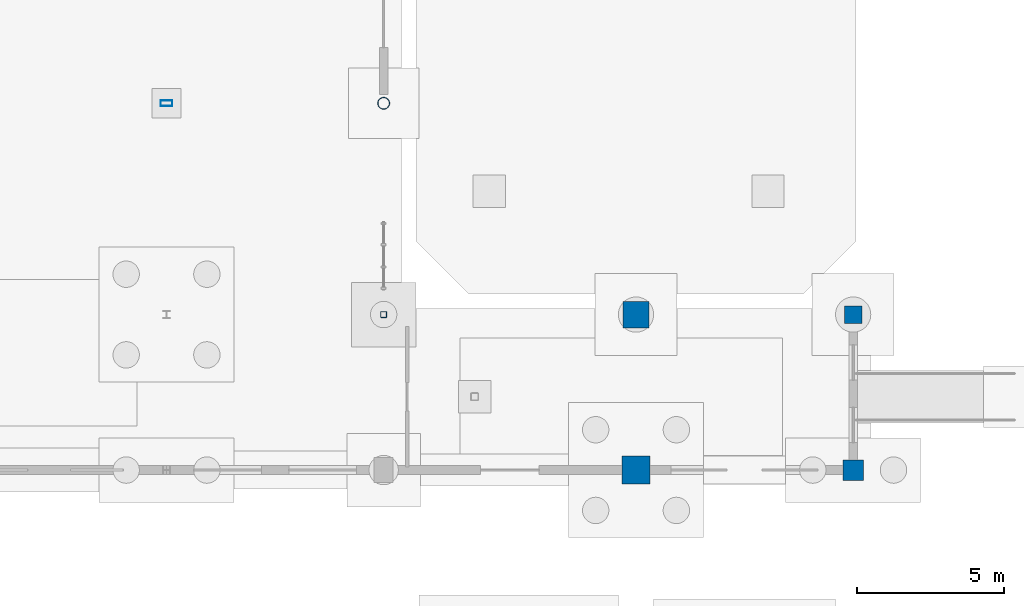
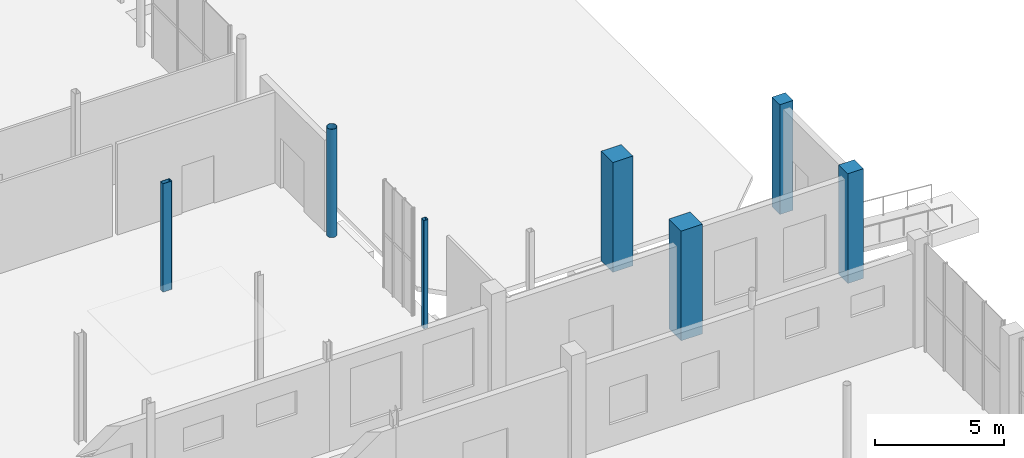
# One storey, part 30 of 87: 7 columns.
"""IFC4 building model written with IfcOpenShell, lengths in metres."""

import ifcopenshell
import ifcopenshell.guid

model = None  # the IFC model being written
_history = None  # IfcOwnerHistory: only IFC2X3 demands one
_inside = {}  # id of a spatial element -> (the spatial element, [elements in it])
_under = {}  # id of a project, library or spatial element -> (it, [spatial elements below it])
_declared = {}  # id of a project -> (the project, [libraries it declares])
_typed = {}  # id of a type object -> (the type object, [elements of that type])
_made_of = {}  # id of a material, layer set ... -> (it, [elements and type objects made of it])


def new_model(schema):
    """Start an empty IFC model of exactly this schema.

    Asked for "IFC4X3", IfcOpenShell would pick the latest addendum, in which some entities
    have other attributes; the version numbers below select the first issue.
    IFC2X3 requires an IfcOwnerHistory on every rooted entity: one is made here for all.
    """
    global model, _history
    if schema == "IFC4X3":
        model = ifcopenshell.file(schema_version=(4, 3, 0, 0))
    else:
        model = ifcopenshell.file(schema=schema)
    _inside.clear()
    _under.clear()
    _declared.clear()
    _typed.clear()
    _made_of.clear()
    _history = None
    if model.schema == "IFC2X3":
        org = make("IfcOrganization", Name="unknown")
        user = make(
            "IfcPersonAndOrganization",
            ThePerson=make("IfcPerson", FamilyName="unknown"),
            TheOrganization=org,
        )
        app = make(
            "IfcApplication",
            ApplicationDeveloper=org,
            Version="unknown",
            ApplicationFullName="unknown",
            ApplicationIdentifier="unknown",
        )
        _history = make(
            "IfcOwnerHistory",
            OwningUser=user,
            OwningApplication=app,
            ChangeAction="ADDED",
            CreationDate=0,
        )
    return model


def make(cls, **values):
    """One entity of the class cls with the attributes given. An attribute that is None is left unset."""
    return model.create_entity(
        cls, **{name: value for name, value in values.items() if value is not None}
    )


def rooted(cls, **values):
    """An entity with a GlobalId (a new one), such as an element, a storey or a relation."""
    return make(cls, GlobalId=ifcopenshell.guid.new(), OwnerHistory=_history, **values)


def si_unit(unit_type, name, prefix=None):
    """IfcSIUnit, for example si_unit("LENGTHUNIT", "METRE", prefix="MILLI")."""
    return make("IfcSIUnit", UnitType=unit_type, Prefix=prefix, Name=name)


def assignment(units):
    """IfcUnitAssignment: the units of a project."""
    return None if units is None else make("IfcUnitAssignment", Units=units)


def point(xyz):
    """IfcCartesianPoint."""
    return None if xyz is None else make("IfcCartesianPoint", Coordinates=xyz)


def direction(xyz):
    """IfcDirection."""
    return None if xyz is None else make("IfcDirection", DirectionRatios=xyz)


def frame(location, z_axis=None, x_axis=None):
    """IfcAxis2Placement3D, a coordinate frame: its origin and axes. An axis left out is left unset."""
    return make(
        "IfcAxis2Placement3D",
        Location=point(location),
        Axis=direction(z_axis),
        RefDirection=direction(x_axis),
    )


def frame_2d(location, x_axis=None):
    """IfcAxis2Placement2D, a coordinate frame in the plane: its origin and x axis."""
    return make(
        "IfcAxis2Placement2D", Location=point(location), RefDirection=direction(x_axis)
    )


def origin():
    """The frame at (0, 0, 0) with its axes left unset."""
    return frame((0.0, 0.0, 0.0))


def origin_2d():
    """The frame at (0, 0) in the plane with its x axis left unset."""
    return frame_2d((0.0, 0.0))


def place(relative_to, where):
    """IfcLocalPlacement: puts the frame where relative to a parent placement (None: the world)."""
    return make(
        "IfcLocalPlacement", PlacementRelTo=relative_to, RelativePlacement=where
    )


def context(
    kind, dimensions, precision=None, world=None, true_north=None, identifier=None
):
    """IfcGeometricRepresentationContext, for example the 3D "Model" context."""
    return make(
        "IfcGeometricRepresentationContext",
        ContextIdentifier=identifier,
        ContextType=kind,
        CoordinateSpaceDimension=dimensions,
        Precision=precision,
        WorldCoordinateSystem=world,
        TrueNorth=true_north,
    )


def subcontext(parent, identifier, kind, view, scale=None):
    """IfcGeometricRepresentationSubContext, for example "Body" below "Model"."""
    return make(
        "IfcGeometricRepresentationSubContext",
        ContextIdentifier=identifier,
        ContextType=kind,
        ParentContext=parent,
        TargetScale=scale,
        TargetView=view,
    )


def project(units=None, contexts=None):
    """IfcProject with its units and contexts."""
    return rooted(
        "IfcProject",
        Name="project",
        RepresentationContexts=contexts,
        UnitsInContext=assignment(units),
    )


def spatial(cls, under=None, at=None, **own):
    """A site, building, storey or space (cls), placed at a placement, below another one or the project."""
    s = rooted(cls, ObjectPlacement=at, **own)
    if under is not None:
        _under.setdefault(under.id(), (under, []))[1].append(s)
    return s


def profile(cls, at=None, kind="AREA", **sizes):
    """A parametric profile (cls). Its sizes go by their IFC names, for example OverallWidth=200.0."""
    return make(cls, ProfileType=kind, Position=at, **sizes)


def rectangle(**sizes):
    """IfcRectangleProfileDef."""
    return profile("IfcRectangleProfileDef", **sizes)


def hollow_rectangle(**sizes):
    """IfcRectangleHollowProfileDef."""
    return profile("IfcRectangleHollowProfileDef", **sizes)


def hollow_circle(**sizes):
    """IfcCircleHollowProfileDef."""
    return profile("IfcCircleHollowProfileDef", **sizes)


def extrude(swept, where, along, depth):
    """IfcExtrudedAreaSolid: the profile swept, set in the frame where, extruded along a direction by depth."""
    return make(
        "IfcExtrudedAreaSolid",
        SweptArea=swept,
        Position=where,
        ExtrudedDirection=direction(along),
        Depth=depth,
    )


def shape(context_of_items, identifier, shape_type, items):
    """IfcShapeRepresentation: the items that make up one representation, for example the "Body"."""
    return make(
        "IfcShapeRepresentation",
        ContextOfItems=context_of_items,
        RepresentationIdentifier=identifier,
        RepresentationType=shape_type,
        Items=items,
    )


def material(Name=None, Category=None):
    """IfcMaterial."""
    return make("IfcMaterial", Name=Name, Category=Category)


def material_profile(
    of_material, cross_section, Name=None, Category=None, Priority=None
):
    """IfcMaterialProfile: a cross section and its material."""
    return make(
        "IfcMaterialProfile",
        Name=Name,
        Material=of_material,
        Profile=cross_section,
        Priority=Priority,
        Category=Category,
    )


def profile_set(profiles, Name=None, composite=None):
    """IfcMaterialProfileSet."""
    return make(
        "IfcMaterialProfileSet",
        Name=Name,
        MaterialProfiles=profiles,
        CompositeProfile=composite,
    )


def made_of(thing, what):
    """Note that an element or type object is made of a material, layer set ...; save() writes the relation."""
    if what is not None:
        _made_of.setdefault(what.id(), (what, []))[1].append(thing)
    return thing


def type_object(cls, material=None, **own):
    """A type object (cls), such as IfcWallType, which elements share."""
    return made_of(rooted(cls, **own), material)


def element(
    cls,
    number,
    at=None,
    inside=None,
    cuts=None,
    type_object=None,
    material=None,
    context=None,
    identifier="Body",
    shape_type=None,
    held_by="IfcProductDefinitionShape",
    body=None,
    shapes=None,
    **own,
):
    """One element of the class cls, such as IfcWall. Its Tag is "e" and its number.

    at: its placement. inside: the storey or other place that contains it. cuts: it is an
    opening in that element (IfcRelVoidsElement). A single representation is given by context,
    identifier, shape_type and body (its items); several are given by shapes. held_by: the class
    of the entity that holds the representations. save() writes the other relations.
    """
    e = rooted(cls, Tag="e%d" % number, ObjectPlacement=at, **own)
    if body is not None:
        shapes = [shape(context, identifier, shape_type, body)]
    if shapes is not None:
        e.Representation = make(held_by, Representations=shapes)
    if inside is not None:
        _inside.setdefault(inside.id(), (inside, []))[1].append(e)
    if cuts is not None:
        rooted(
            "IfcRelVoidsElement", RelatingBuildingElement=cuts, RelatedOpeningElement=e
        )
    if type_object is not None:
        _typed.setdefault(type_object.id(), (type_object, []))[1].append(e)
    return made_of(e, material)


def aggregate(whole, parts):
    """IfcRelAggregates: a whole, such as a stair, and the parts it consists of."""
    return rooted("IfcRelAggregates", RelatingObject=whole, RelatedObjects=parts)


def save(model, path):
    """Write the relations noted so far, then the file.

    IfcRelAggregates (storeys below a building ...), IfcRelContainedInSpatialStructure (elements
    in a storey), IfcRelDefinesByType, IfcRelAssociatesMaterial and IfcRelDeclares: one each for
    every whole, place, type object, material and project.
    """
    for whole, parts in _under.values():
        aggregate(whole, parts)
    for where, things in _inside.values():
        rooted(
            "IfcRelContainedInSpatialStructure",
            RelatedElements=things,
            RelatingStructure=where,
        )
    for kind, things in _typed.values():
        rooted("IfcRelDefinesByType", RelatedObjects=things, RelatingType=kind)
    for what, things in _made_of.values():
        rooted("IfcRelAssociatesMaterial", RelatedObjects=things, RelatingMaterial=what)
    for by, libraries in _declared.values():
        rooted("IfcRelDeclares", RelatingContext=by, RelatedDefinitions=libraries)
    model.write(path)


model = new_model("IFC4")

# Units and contexts
model_context = context("Model", 3, precision=1e-05, world=origin(), true_north=direction((0.0, 1.0)))
body_context = subcontext(model_context, "Body", "Model", "MODEL_VIEW")
ifc_project = project(units=[si_unit("LENGTHUNIT", "METRE"), si_unit("AREAUNIT", "SQUARE_METRE"), si_unit("VOLUMEUNIT", "CUBIC_METRE"), si_unit("PLANEANGLEUNIT", "RADIAN"), si_unit("MASSUNIT", "GRAM", prefix="KILO")], contexts=[model_context])

# Site, building, storey
site_placement = place(None, origin())
site = spatial("IfcSite", under=ifc_project, at=site_placement, CompositionType="ELEMENT")
building_placement = place(site_placement, origin())
building = spatial("IfcBuilding", under=site, at=building_placement, Name="Brisemont Oceanarium", CompositionType="ELEMENT")
storey_placement = place(building_placement, origin())
storey = spatial("IfcBuildingStorey", under=building, at=storey_placement, Name="L00", CompositionType="ELEMENT", Elevation=0.0)

# Columns
ifc_material_1 = material(Name="Structural Steel ASTM A500 Gr.C", Category="steel")
ifc_material_profile_1 = material_profile(ifc_material_1, hollow_circle(Radius=0.202880859375, WallThickness=0.01171875, at=origin_2d()), Name="HSS16.000X0.500")
ifc_profile_set_1 = profile_set([ifc_material_profile_1], Name="Structural Steel ASTM A500 Gr.C")
column_type_1 = type_object("IfcColumnType", Name="COL-CHS16", PredefinedType="COLUMN", material=ifc_profile_set_1)
column_1_placement = place(storey_placement, frame((143.39990234375, 49.0, 0.0), z_axis=(0.0, 0.0, 1.0), x_axis=(1.0, 0.0, 0.0)))
element("IfcColumn", 1, at=column_1_placement, inside=storey, type_object=column_type_1, Name="V5E L00 column (4,2)", PredefinedType="COLUMN", context=body_context, shape_type="SweptSolid", body=[
    extrude(hollow_circle(Radius=0.202880859375, WallThickness=0.01171875, at=origin_2d()), origin(), (0.0, 0.0, 1.0), 5.1201171875),
])
ifc_material_2 = material(Name="Structural Steel ASTM A500 Gr.C", Category="steel")
ifc_material_profile_2 = material_profile(ifc_material_2, hollow_rectangle(XDim=0.202880859375, YDim=0.406005859375, WallThickness=0.01171875, InnerFilletRadius=0.01220703125, OuterFilletRadius=0.02392578125, at=origin_2d()), Name="HSS16X8X1/2")
ifc_profile_set_2 = profile_set([ifc_material_profile_2], Name="Structural Steel ASTM A500 Gr.C")
column_type_2 = type_object("IfcColumnType", Name="COL-HSS16X8", PredefinedType="COLUMN", material=ifc_profile_set_2)
column_2_placement = place(storey_placement, frame((136.0, 49.0, 0.0), z_axis=(0.0, 0.0, 1.0), x_axis=(0.0, 1.0, 0.0)))
element("IfcColumn", 2, at=column_2_placement, inside=storey, type_object=column_type_2, Name="V5E L00 column (3,2)", PredefinedType="COLUMN", context=body_context, shape_type="SweptSolid", body=[
    extrude(hollow_rectangle(XDim=0.202880859375, YDim=0.406005859375, WallThickness=0.01171875, InnerFilletRadius=0.01220703125, OuterFilletRadius=0.02392578125, at=origin_2d()), origin(), (0.0, 0.0, 1.0), 5.1201171875),
])
ifc_material_3 = material(Name="Structural Steel ASTM A500 Gr.C", Category="steel")
ifc_material_profile_3 = material_profile(ifc_material_3, hollow_rectangle(XDim=0.202880859375, YDim=0.202880859375, WallThickness=0.0087890625, InnerFilletRadius=0.009033203125, OuterFilletRadius=0.01806640625, at=origin_2d()), Name="HSS8X8X3/8")
ifc_profile_set_3 = profile_set([ifc_material_profile_3], Name="Structural Steel ASTM A500 Gr.C")
column_type_3 = type_object("IfcColumnType", Name="COL-HSS8X8", PredefinedType="COLUMN", material=ifc_profile_set_3)
column_3_placement = place(storey_placement, frame((143.39990234375, 41.800048828125, 0.0), z_axis=(0.0, 0.0, 1.0), x_axis=(0.0, 1.0, 0.0)))
element("IfcColumn", 3, at=column_3_placement, inside=storey, type_object=column_type_3, Name="V5E L00 column (4,1)", PredefinedType="COLUMN", context=body_context, shape_type="SweptSolid", body=[
    extrude(hollow_rectangle(XDim=0.202880859375, YDim=0.202880859375, WallThickness=0.0087890625, InnerFilletRadius=0.009033203125, OuterFilletRadius=0.01806640625, at=origin_2d()), origin(), (0.0, 0.0, 1.0), 5.1201171875),
])
ifc_material_4 = material(Name="Concrete C35/45", Category="concrete")
ifc_material_profile_4 = material_profile(ifc_material_4, rectangle(XDim=0.60009765625, YDim=0.60009765625, at=origin_2d()), Name="RC-COL-600X600")
ifc_profile_set_4 = profile_set([ifc_material_profile_4], Name="Concrete C35/45")
column_type_4 = type_object("IfcColumnType", Name="COL-RC600", PredefinedType="COLUMN", material=ifc_profile_set_4)
column_4_placement = place(storey_placement, frame((159.39990234375, 41.800048828125, 0.0), z_axis=(0.0, 0.0, 1.0), x_axis=(0.0, 1.0, 0.0)))
element("IfcColumn", 4, at=column_4_placement, inside=storey, type_object=column_type_4, Name="V5E L00 column (6,1)", PredefinedType="COLUMN", context=body_context, shape_type="SweptSolid", body=[
    extrude(rectangle(XDim=0.60009765625, YDim=0.60009765625, at=origin_2d()), origin(), (0.0, 0.0, 1.0), 5.18994140625),
])
ifc_material_5 = material(Name="Concrete C35/45", Category="concrete")
ifc_material_profile_5 = material_profile(ifc_material_5, rectangle(XDim=0.699951171875, YDim=0.699951171875, at=origin_2d()), Name="RC-COL-700X700")
ifc_profile_set_5 = profile_set([ifc_material_profile_5], Name="Concrete C35/45")
column_type_5 = type_object("IfcColumnType", Name="COL-RC700", PredefinedType="COLUMN", material=ifc_profile_set_5)
column_5_placement = place(storey_placement, frame((159.39990234375, 36.5, 0.0), z_axis=(0.0, 0.0, 1.0), x_axis=(1.0, 0.0, 0.0)))
element("IfcColumn", 5, at=column_5_placement, inside=storey, type_object=column_type_5, Name="V5E L00 column (6,0)", PredefinedType="COLUMN", context=body_context, shape_type="SweptSolid", body=[
    extrude(rectangle(XDim=0.699951171875, YDim=0.699951171875, at=origin_2d()), origin(), (0.0, 0.0, 1.0), 5.18994140625),
])
ifc_material_6 = material(Name="Concrete C40/50", Category="concrete")
ifc_material_profile_6 = material_profile(ifc_material_6, rectangle(XDim=0.89990234375, YDim=0.89990234375, at=origin_2d()), Name="RC-COL-900X900")
ifc_profile_set_6 = profile_set([ifc_material_profile_6], Name="Concrete C40/50")
column_type_6 = type_object("IfcColumnType", Name="COL-RC900", PredefinedType="COLUMN", material=ifc_profile_set_6)
column_6_placement = place(storey_placement, frame((152.0, 41.800048828125, 0.0), z_axis=(0.0, 0.0, 1.0), x_axis=(1.0, 0.0, 0.0)))
element("IfcColumn", 6, at=column_6_placement, inside=storey, type_object=column_type_6, Name="V5E L00 column (5,1)", PredefinedType="COLUMN", context=body_context, shape_type="SweptSolid", body=[
    extrude(rectangle(XDim=0.89990234375, YDim=0.89990234375, at=origin_2d()), origin(), (0.0, 0.0, 1.0), 5.18994140625),
])
ifc_material_7 = material(Name="Concrete C40/50", Category="concrete")
ifc_material_profile_7 = material_profile(ifc_material_7, rectangle(XDim=0.949951171875, YDim=0.949951171875, at=origin_2d()), Name="RC-COL-950X950")
ifc_profile_set_7 = profile_set([ifc_material_profile_7], Name="Concrete C40/50")
column_type_7 = type_object("IfcColumnType", Name="COL-RC950", PredefinedType="COLUMN", material=ifc_profile_set_7)
column_7_placement = place(storey_placement, frame((152.0, 36.5, 0.0), z_axis=(0.0, 0.0, 1.0), x_axis=(0.0, 1.0, 0.0)))
element("IfcColumn", 7, at=column_7_placement, inside=storey, type_object=column_type_7, Name="V5E L00 column (5,0)", PredefinedType="COLUMN", context=body_context, shape_type="SweptSolid", body=[
    extrude(rectangle(XDim=0.949951171875, YDim=0.949951171875, at=origin_2d()), origin(), (0.0, 0.0, 1.0), 5.18994140625),
])

save(model, "model.ifc")
